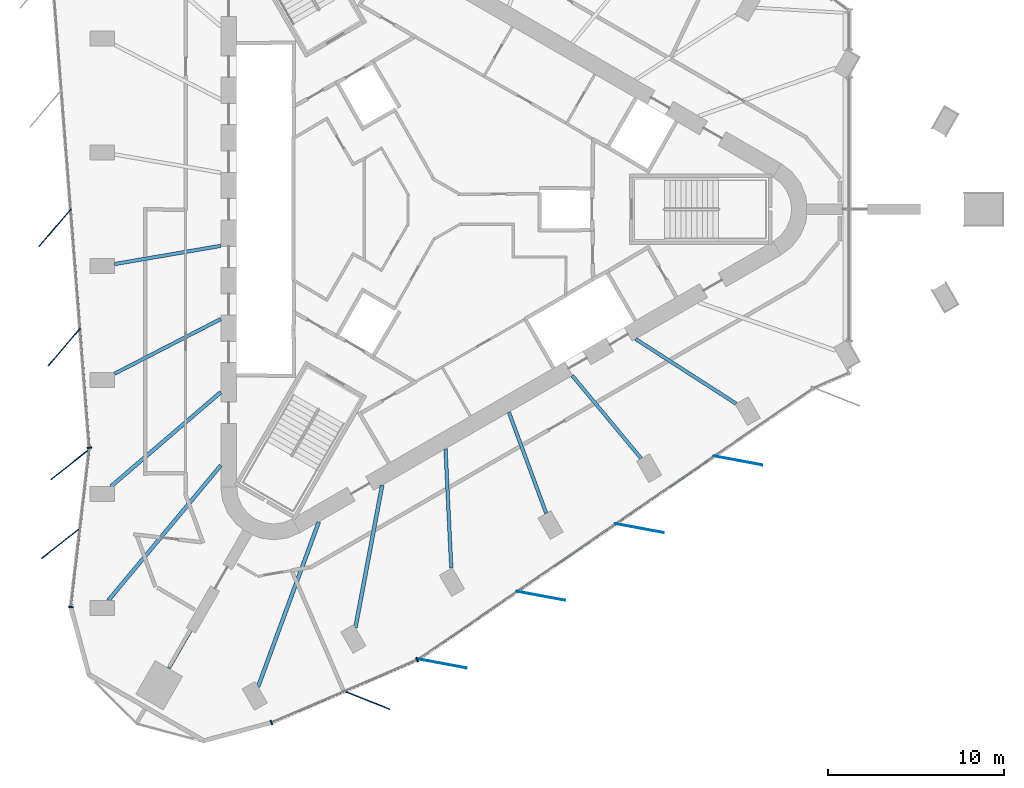
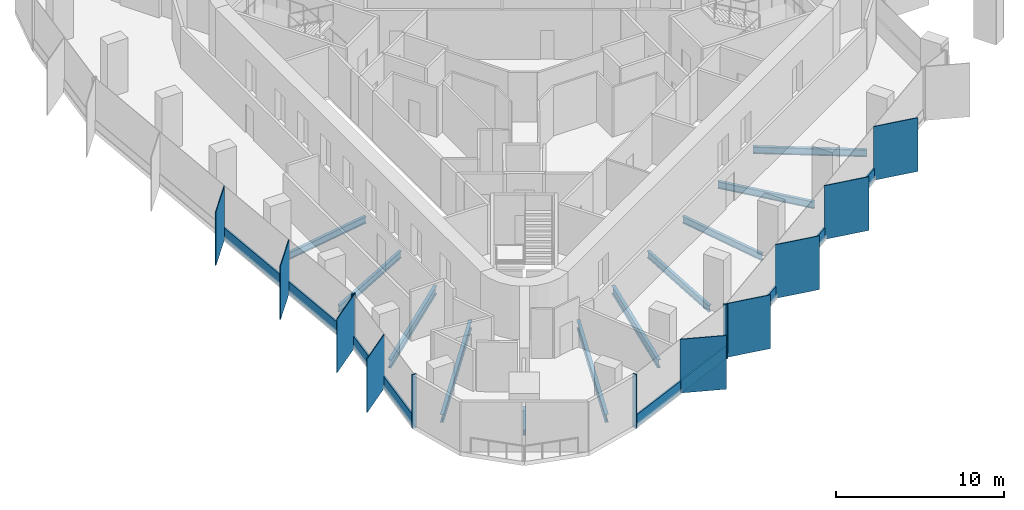
# One storey, part 2 of 12: 22 members, 11 beams, 4 elements without a shape of their own.
"""IFC4 building model written with IfcOpenShell, lengths in metres."""

from ifc_helpers import new_model, si_unit, direction, frame, origin, origin_2d, place, context, subcontext, project, spatial, rectangle, i_section, extrude, material, material_profile, profile_set, type_object, element, aggregate, save


model = new_model("IFC4")

# Units and contexts
model_context = context("Model", 3, precision=1e-05, world=origin(), true_north=direction((0.0, 1.0)))
body_context = subcontext(model_context, "Body", "Model", "MODEL_VIEW")
ifc_project = project(units=[si_unit("LENGTHUNIT", "METRE"), si_unit("AREAUNIT", "SQUARE_METRE"), si_unit("VOLUMEUNIT", "CUBIC_METRE"), si_unit("PLANEANGLEUNIT", "RADIAN"), si_unit("MASSUNIT", "GRAM", prefix="KILO")], contexts=[model_context])

# Site, building, storey
site_placement = place(None, origin())
site = spatial("IfcSite", under=ifc_project, at=site_placement, CompositionType="ELEMENT")
building_placement = place(site_placement, origin())
building = spatial("IfcBuilding", under=site, at=building_placement, Name="Tanit Gate Tower", CompositionType="ELEMENT")
storey_placement = place(building_placement, frame((0.0, 0.0, 384.5)))
storey = spatial("IfcBuildingStorey", under=building, at=storey_placement, Name="L88", CompositionType="ELEMENT", Elevation=384.5)

# Curtain wall, members
ifc_material_1 = material(Name="Aluminium bronze anodised and glass", Category="aluminium")
curtain_wall_type = type_object("IfcCurtainWallType", Name="Curtain wall typical high", PredefinedType="NOTDEFINED", material=ifc_material_1)
curtain_wall_1_placement = place(storey_placement, origin())
curtain_wall_1 = element("IfcCurtainWall", 1, at=curtain_wall_1_placement, inside=storey, type_object=curtain_wall_type, Name="Curtain wall L88 W2", PredefinedType="NOTDEFINED")
ifc_material_2 = material(Name="Aluminium bronze anodised", Category="aluminium")
ifc_material_profile_1 = material_profile(ifc_material_2, rectangle(XDim=2.800048828125, YDim=0.055908203125, at=origin_2d()), Name="56x2800 bronze fin mullion")
ifc_profile_set_1 = profile_set([ifc_material_profile_1], Name="Aluminium bronze anodised")
member_type_1 = type_object("IfcMemberType", Name="FIN MULLION 56x2800 bronze", PredefinedType="MULLION", material=ifc_profile_set_1)
member_1_placement = place(storey_placement, frame((-21.510498046875, -1.05126953125, -0.300048828125), z_axis=(0.0, 0.0, 1.0), x_axis=(0.649921223903, 0.760001580735, 0.0)))
member_1 = element("IfcMember", 2, at=member_1_placement, type_object=member_type_1, Name="Fin mullion L88 W2.3", PredefinedType="MULLION", context=body_context, shape_type="SweptSolid", body=[
    extrude(rectangle(XDim=2.800048828125, YDim=0.055908203125, at=origin_2d()), origin(), (0.0, 0.0, 1.0), 3.900146484375),
])
member_2_placement = place(storey_placement, frame((-20.982177734375, -7.818359375, -0.300048828125), z_axis=(0.0, 0.0, 1.0), x_axis=(0.649921223903, 0.760001580735, 0.0)))
member_2 = element("IfcMember", 3, at=member_2_placement, type_object=member_type_1, Name="Fin mullion L88 W2.4", PredefinedType="MULLION", context=body_context, shape_type="SweptSolid", body=[
    extrude(rectangle(XDim=2.800048828125, YDim=0.055908203125, at=origin_2d()), origin(), (0.0, 0.0, 1.0), 3.900146484375),
])

curtain_wall_2_placement = place(storey_placement, origin())
curtain_wall_2 = element("IfcCurtainWall", 4, at=curtain_wall_2_placement, inside=storey, type_object=curtain_wall_type, Name="Curtain wall L88 W3", PredefinedType="NOTDEFINED")
member_3_placement = place(storey_placement, frame((-20.64111328125, -14.47216796875, -0.300048828125), z_axis=(0.0, 0.0, 1.0), x_axis=(0.784556334353, 0.620057544286, 0.0)))
member_3 = element("IfcMember", 5, at=member_3_placement, type_object=member_type_1, Name="Fin mullion L88 W3.1", PredefinedType="MULLION", context=body_context, shape_type="SweptSolid", body=[
    extrude(rectangle(XDim=2.800048828125, YDim=0.055908203125, at=origin_2d()), origin(), (0.0, 0.0, 1.0), 3.900146484375),
])
member_4_placement = place(storey_placement, frame((-21.165771484375, -18.951416015625, -0.300048828125), z_axis=(0.0, 0.0, 1.0), x_axis=(0.784556334353, 0.620057544286, 0.0)))
member_4 = element("IfcMember", 6, at=member_4_placement, type_object=member_type_1, Name="Fin mullion L88 W3.2", PredefinedType="MULLION", context=body_context, shape_type="SweptSolid", body=[
    extrude(rectangle(XDim=2.800048828125, YDim=0.055908203125, at=origin_2d()), origin(), (0.0, 0.0, 1.0), 3.900146484375),
])

# Curtain wall, member
curtain_wall_3_placement = place(storey_placement, origin())
curtain_wall_3 = element("IfcCurtainWall", 7, at=curtain_wall_3_placement, inside=storey, type_object=curtain_wall_type, Name="Curtain wall L88 SE1", PredefinedType="NOTDEFINED")
member_5_placement = place(storey_placement, frame((-3.80859375, -27.86474609375, -0.300048828125), z_axis=(0.0, 0.0, 1.0), x_axis=(-0.929263752337, 0.369416944107, 0.0)))
member_5 = element("IfcMember", 8, at=member_5_placement, type_object=member_type_1, Name="Fin mullion L88 SE1.2", PredefinedType="MULLION", context=body_context, shape_type="SweptSolid", body=[
    extrude(rectangle(XDim=2.800048828125, YDim=0.055908203125, at=origin_2d()), origin(), (0.0, 0.0, 1.0), 3.900146484375),
])

# Curtain wall, members
curtain_wall_4_placement = place(storey_placement, origin())
curtain_wall_4 = element("IfcCurtainWall", 9, at=curtain_wall_4_placement, inside=storey, type_object=curtain_wall_type, Name="Curtain wall L88 SE2", PredefinedType="NOTDEFINED")
member_6_placement = place(storey_placement, frame((0.472900390625, -25.78515625, -0.300048828125), z_axis=(0.0, 0.0, 1.0), x_axis=(-0.983141287785, 0.182847499991, 0.0)))
member_6 = element("IfcMember", 10, at=member_6_placement, type_object=member_type_1, Name="Fin mullion L88 SE2.1", PredefinedType="MULLION", context=body_context, shape_type="SweptSolid", body=[
    extrude(rectangle(XDim=2.800048828125, YDim=0.055908203125, at=origin_2d()), origin(), (0.0, 0.0, 1.0), 3.900146484375),
])
member_7_placement = place(storey_placement, frame((6.0693359375, -21.944091796875, -0.300048828125), z_axis=(0.0, 0.0, 1.0), x_axis=(-0.983141287785, 0.182847499991, 0.0)))
member_7 = element("IfcMember", 11, at=member_7_placement, type_object=member_type_1, Name="Fin mullion L88 SE2.2", PredefinedType="MULLION", context=body_context, shape_type="SweptSolid", body=[
    extrude(rectangle(XDim=2.800048828125, YDim=0.055908203125, at=origin_2d()), origin(), (0.0, 0.0, 1.0), 3.900146484375),
])
member_8_placement = place(storey_placement, frame((11.665771484375, -18.10302734375, -0.300048828125), z_axis=(0.0, 0.0, 1.0), x_axis=(-0.983141287785, 0.182847499991, 0.0)))
member_8 = element("IfcMember", 12, at=member_8_placement, type_object=member_type_1, Name="Fin mullion L88 SE2.3", PredefinedType="MULLION", context=body_context, shape_type="SweptSolid", body=[
    extrude(rectangle(XDim=2.800048828125, YDim=0.055908203125, at=origin_2d()), origin(), (0.0, 0.0, 1.0), 3.900146484375),
])
member_9_placement = place(storey_placement, frame((17.261962890625, -14.26171875, -0.300048828125), z_axis=(0.0, 0.0, 1.0), x_axis=(-0.983141287785, 0.182847499991, 0.0)))
member_9 = element("IfcMember", 13, at=member_9_placement, type_object=member_type_1, Name="Fin mullion L88 SE2.4", PredefinedType="MULLION", context=body_context, shape_type="SweptSolid", body=[
    extrude(rectangle(XDim=2.800048828125, YDim=0.055908203125, at=origin_2d()), origin(), (0.0, 0.0, 1.0), 3.900146484375),
])

# Member
ifc_material_3 = material(Name="Aluminium bronze anodised", Category="aluminium")
ifc_material_profile_2 = material_profile(ifc_material_3, rectangle(XDim=0.280029296875, YDim=0.080078125, at=origin_2d()), Name="80x280 bronze mullion")
ifc_profile_set_2 = profile_set([ifc_material_profile_2], Name="Aluminium bronze anodised")
member_type_2 = type_object("IfcMemberType", Name="Mullion 80x280 typical high", PredefinedType="MULLION", material=ifc_profile_set_2)
member_10_placement = place(storey_placement, frame((-19.556640625, -13.53662109375, -0.300048828125), z_axis=(0.0, 0.0, 1.0), x_axis=(0.996965976109, 0.077838566791, 0.0)))
member_10 = element("IfcMember", 14, at=member_10_placement, type_object=member_type_2, Name="Mullion L88 W2.5", PredefinedType="MULLION", context=body_context, shape_type="SweptSolid", body=[
    extrude(rectangle(XDim=0.280029296875, YDim=0.080078125, at=origin_2d()), origin(), (0.0, 0.0, 1.0), 3.900146484375),
])

member_11_placement = place(storey_placement, frame((-20.607421875, -22.574951171875, -0.300048828125), z_axis=(0.0, 0.0, 1.0), x_axis=(0.993211998535, -0.116318209953, 0.0)))
member_11 = element("IfcMember", 15, at=member_11_placement, type_object=member_type_2, Name="Mullion L88 W3.3", PredefinedType="MULLION", context=body_context, shape_type="SweptSolid", body=[
    extrude(rectangle(XDim=0.280029296875, YDim=0.080078125, at=origin_2d()), origin(), (0.0, 0.0, 1.0), 3.900146484375),
])

member_12_placement = place(storey_placement, frame((-9.228515625, -29.138427734375, -0.300048828125), z_axis=(0.0, 0.0, 1.0), x_axis=(-0.395871474525, 0.918305927051, 0.0)))
member_12 = element("IfcMember", 16, at=member_12_placement, type_object=member_type_2, Name="Mullion L88 SE1.1", PredefinedType="MULLION", context=body_context, shape_type="SweptSolid", body=[
    extrude(rectangle(XDim=0.280029296875, YDim=0.080078125, at=origin_2d()), origin(), (0.0, 0.0, 1.0), 3.900146484375),
])

member_13_placement = place(storey_placement, frame((-0.95361328125, -25.5712890625, -0.300048828125), z_axis=(0.0, 0.0, 1.0), x_axis=(-0.395871474525, 0.918305927051, 0.0)))
member_13 = element("IfcMember", 17, at=member_13_placement, type_object=member_type_2, Name="Mullion L88 SE1.3", PredefinedType="MULLION", context=body_context, shape_type="SweptSolid", body=[
    extrude(rectangle(XDim=0.280029296875, YDim=0.080078125, at=origin_2d()), origin(), (0.0, 0.0, 1.0), 3.900146484375),
])

# Beams
ifc_material_4 = material(Name="Steel S355", Category="steel")
ifc_material_profile_3 = material_profile(ifc_material_4, i_section(OverallWidth=0.179931640625, OverallDepth=0.39990234375, WebThickness=0.008544921875, FlangeThickness=0.013427734375, FilletRadius=0.02099609375, at=origin_2d()), Name="IPE 400")
ifc_profile_set_3 = profile_set([ifc_material_profile_3], Name="Steel S355")
beam_type_1 = type_object("IfcBeamType", Name="RADIAL GIRDER IPE 400 S355", PredefinedType="BEAM", material=ifc_profile_set_3)
beam_1_placement = place(storey_placement, frame((-15.0478515625, -26.063720703125, -0.5), z_axis=(0.499965672037, 0.866045222136, 0.0), x_axis=(-0.866045222136, 0.499965672037, 0.0)))
element("IfcBeam", 18, at=beam_1_placement, inside=storey, type_object=beam_type_1, Name="RADIAL GIRDER", PredefinedType="BEAM", context=body_context, shape_type="SweptSolid", body=[
    extrude(i_section(OverallWidth=0.179931640625, OverallDepth=0.39990234375, WebThickness=0.008544921875, FlangeThickness=0.013427734375, FilletRadius=0.02099609375, at=origin_2d()), origin(), (0.0, 0.0, 1.0), 2.490966796875),
])
ifc_material_5 = material(Name="Steel S355", Category="steel")
ifc_material_profile_4 = material_profile(ifc_material_5, i_section(OverallWidth=0.199951171875, OverallDepth=0.5, WebThickness=0.01025390625, FlangeThickness=0.01611328125, FilletRadius=0.02099609375, at=origin_2d()), Name="IPE 500")
ifc_profile_set_4 = profile_set([ifc_material_profile_4], Name="Steel S355")
beam_type_2 = type_object("IfcBeamType", Name="RADIAL GIRDER IPE 500 S355", PredefinedType="BEAM", material=ifc_profile_set_4)
beam_2_placement = place(storey_placement, frame((-18.134033203125, -3.11181640625, -0.550048828125), z_axis=(0.985592249699, 0.169138751719, 0.0), x_axis=(-0.169138751719, 0.985592249699, 0.0)))
element("IfcBeam", 19, at=beam_2_placement, inside=storey, type_object=beam_type_2, Name="RADIAL GIRDER", PredefinedType="BEAM", context=body_context, shape_type="SweptSolid", body=[
    extrude(i_section(OverallWidth=0.199951171875, OverallDepth=0.5, WebThickness=0.01025390625, FlangeThickness=0.01611328125, FilletRadius=0.02099609375, at=origin_2d()), origin(), (0.0, 0.0, 1.0), 6.1201171875),
])
for number, where, z_axis, x_axis, name in (
    (20, (-18.134033203125, -9.33544921875, -0.550048828125), (0.889089509104, 0.457733377416, 0.0), (-0.457733377416, 0.889089509104, 0.0), "RADIAL GIRDER"),
    (21, (0.982177734375, -20.372314453125, -0.550048828125), (-0.048148149824, 0.998840205272, 0.0), (-0.998840205272, -0.048148149824, 0.0), "RADIAL GIRDER"),
):
    element("IfcBeam", number, at=place(storey_placement, frame(where, z_axis=z_axis, x_axis=x_axis)), inside=storey, type_object=beam_type_2, Name=name, PredefinedType="BEAM", context=body_context, shape_type="SweptSolid", body=[
        extrude(i_section(OverallWidth=0.199951171875, OverallDepth=0.5, WebThickness=0.01025390625, FlangeThickness=0.01611328125, FilletRadius=0.02099609375, at=origin_2d()), origin(), (0.0, 0.0, 1.0), 6.784423828125),
    ])
beam_3_placement = place(storey_placement, frame((6.3720703125, -17.260498046875, -0.550048828125), z_axis=(-0.346331956525, 0.938112027366, 0.0), x_axis=(-0.938112027366, -0.346331956525, 0.0)))
element("IfcBeam", 22, at=beam_3_placement, inside=storey, type_object=beam_type_2, Name="RADIAL GIRDER", PredefinedType="BEAM", context=body_context, shape_type="SweptSolid", body=[
    extrude(i_section(OverallWidth=0.199951171875, OverallDepth=0.5, WebThickness=0.01025390625, FlangeThickness=0.01611328125, FilletRadius=0.02099609375, at=origin_2d()), origin(), (0.0, 0.0, 1.0), 6.1201171875),
])
beam_4_placement = place(storey_placement, frame((11.761962890625, -14.1484375, -0.550048828125), z_axis=(-0.639281465972, 0.76897282609, 0.0), x_axis=(-0.76897282609, -0.639281465972, 0.0)))
element("IfcBeam", 23, at=beam_4_placement, inside=storey, type_object=beam_type_2, Name="RADIAL GIRDER", PredefinedType="BEAM", context=body_context, shape_type="SweptSolid", body=[
    extrude(i_section(OverallWidth=0.199951171875, OverallDepth=0.5, WebThickness=0.01025390625, FlangeThickness=0.01611328125, FilletRadius=0.02099609375, at=origin_2d()), origin(), (0.0, 0.0, 1.0), 6.119873046875),
])
beam_5_placement = place(storey_placement, frame((17.151611328125, -11.036865234375, -0.550048828125), z_axis=(-0.840921151668, 0.541157663419, 0.0), x_axis=(-0.541157663419, -0.840921151668, 0.0)))
element("IfcBeam", 24, at=beam_5_placement, inside=storey, type_object=beam_type_2, Name="RADIAL GIRDER", PredefinedType="BEAM", context=body_context, shape_type="SweptSolid", body=[
    extrude(i_section(OverallWidth=0.199951171875, OverallDepth=0.5, WebThickness=0.01025390625, FlangeThickness=0.01611328125, FilletRadius=0.02099609375, at=origin_2d()), origin(), (0.0, 0.0, 1.0), 6.784423828125),
])
ifc_material_6 = material(Name="Steel S355", Category="steel")
ifc_material_profile_5 = material_profile(ifc_material_6, i_section(OverallWidth=0.219970703125, OverallDepth=0.60009765625, WebThickness=0.011962890625, FlangeThickness=0.01904296875, FilletRadius=0.02392578125, at=origin_2d()), Name="IPE 600")
ifc_profile_set_5 = profile_set([ifc_material_profile_5], Name="Steel S355")
beam_type_3 = type_object("IfcBeamType", Name="RADIAL GIRDER IPE 600 S355", PredefinedType="BEAM", material=ifc_profile_set_5)
beam_6_placement = place(storey_placement, frame((-18.338623046875, -15.734619140625, -0.60009765625), z_axis=(0.758929352331, 0.651172971008, 0.0), x_axis=(-0.651172971008, 0.758929352331, 0.0)))
element("IfcBeam", 25, at=beam_6_placement, inside=storey, type_object=beam_type_3, Name="RADIAL GIRDER", PredefinedType="BEAM", context=body_context, shape_type="SweptSolid", body=[
    extrude(i_section(OverallWidth=0.219970703125, OverallDepth=0.60009765625, WebThickness=0.011962890625, FlangeThickness=0.01904296875, FilletRadius=0.02392578125, at=origin_2d()), origin(), (0.0, 0.0, 1.0), 8.217529296875),
])
for number, where, z_axis, x_axis, name in (
    (26, (-18.480224609375, -22.198486328125, -0.60009765625), (0.639810946261, 0.768532337019, 0.0), (-0.768532337019, 0.639810946261, 0.0), "RADIAL GIRDER"),
    (27, (-9.984619140625, -27.103515625, -0.60009765625), (0.345682660263, 0.938351479134, 0.0), (-0.938351479134, 0.345682660263, 0.0), "RADIAL GIRDER"),
):
    element("IfcBeam", number, at=place(storey_placement, frame(where, z_axis=z_axis, x_axis=x_axis)), inside=storey, type_object=beam_type_3, Name=name, PredefinedType="BEAM", context=body_context, shape_type="SweptSolid", body=[
        extrude(i_section(OverallWidth=0.219970703125, OverallDepth=0.60009765625, WebThickness=0.011962890625, FlangeThickness=0.01904296875, FilletRadius=0.02392578125, at=origin_2d()), origin(), (0.0, 0.0, 1.0), 9.96875),
    ])
beam_7_placement = place(storey_placement, frame((-4.45751953125, -23.7490234375, -0.60009765625), z_axis=(0.184498405984, 0.982832812939, 0.0), x_axis=(-0.982832812939, 0.184498405984, 0.0)))
element("IfcBeam", 28, at=beam_7_placement, inside=storey, type_object=beam_type_3, Name="RADIAL GIRDER", PredefinedType="BEAM", context=body_context, shape_type="SweptSolid", body=[
    extrude(i_section(OverallWidth=0.219970703125, OverallDepth=0.60009765625, WebThickness=0.011962890625, FlangeThickness=0.01904296875, FilletRadius=0.02392578125, at=origin_2d()), origin(), (0.0, 0.0, 1.0), 8.217529296875),
])

# Member
ifc_material_7 = material(Name="Aluminium bronze anodised", Category="aluminium")
ifc_material_profile_6 = material_profile(ifc_material_7, rectangle(XDim=0.1201171875, YDim=0.89990234375, at=origin_2d()), Name="120x900 bronze transom")
ifc_profile_set_6 = profile_set([ifc_material_profile_6], Name="Aluminium bronze anodised")
member_type_3 = type_object("IfcMemberType", Name="Transom 120x900 typical high", PredefinedType="USERDEFINED", material=ifc_profile_set_6)
member_14_placement = place(storey_placement, frame((-20.6103515625, -0.042236328125, 0.14990234375), z_axis=(0.077854316831, -0.996964746293, 0.0), x_axis=(0.996964746293, 0.077854316831, 0.0)))
member_14 = element("IfcMember", 29, at=member_14_placement, type_object=member_type_3, Name="Transom L88 W2.3", ObjectType="TRANSOM", PredefinedType="USERDEFINED", context=body_context, shape_type="SweptSolid", body=[
    extrude(rectangle(XDim=0.1201171875, YDim=0.89990234375, at=origin_2d()), origin(), (0.0, 0.0, 1.0), 6.70751953125),
])

member_15_placement = place(storey_placement, frame((-20.08203125, -6.809326171875, 0.14990234375), z_axis=(0.077851491829, -0.996964966897, 0.0), x_axis=(0.996964966897, 0.077851491829, 0.0)))
member_15 = element("IfcMember", 30, at=member_15_placement, type_object=member_type_3, Name="Transom L88 W2.4", ObjectType="TRANSOM", PredefinedType="USERDEFINED", context=body_context, shape_type="SweptSolid", body=[
    extrude(rectangle(XDim=0.1201171875, YDim=0.89990234375, at=origin_2d()), origin(), (0.0, 0.0, 1.0), 6.707763671875),
])

aggregate(curtain_wall_1, [member_1, member_2, member_10, member_14, member_15])

member_16_placement = place(storey_placement, frame((-19.56298828125, -13.656005859375, 0.14990234375), z_axis=(-0.116284849592, -0.993215904905, 0.0), x_axis=(0.993215904905, -0.116284849592, 0.0)))
member_16 = element("IfcMember", 31, at=member_16_placement, type_object=member_type_3, Name="Transom L88 W3.1", ObjectType="TRANSOM", PredefinedType="USERDEFINED", context=body_context, shape_type="SweptSolid", body=[
    extrude(rectangle(XDim=0.1201171875, YDim=0.89990234375, at=origin_2d()), origin(), (0.0, 0.0, 1.0), 4.429931640625),
])

member_17_placement = place(storey_placement, frame((-20.08740234375, -18.13525390625, 0.14990234375), z_axis=(-0.116332847467, -0.99321028418, 0.0), x_axis=(0.99321028418, -0.116332847467, 0.0)))
member_17 = element("IfcMember", 32, at=member_17_placement, type_object=member_type_3, Name="Transom L88 W3.2", ObjectType="TRANSOM", PredefinedType="USERDEFINED", context=body_context, shape_type="SweptSolid", body=[
    extrude(rectangle(XDim=0.1201171875, YDim=0.89990234375, at=origin_2d()), origin(), (0.0, 0.0, 1.0), 4.43017578125),
])

aggregate(curtain_wall_2, [member_3, member_4, member_11, member_16, member_17])

member_18_placement = place(storey_placement, frame((-9.191650390625, -29.12255859375, 0.14990234375), z_axis=(0.918315441962, 0.395849401987, 0.0), x_axis=(-0.395849401987, 0.918315441962, 0.0)))
member_18 = element("IfcMember", 33, at=member_18_placement, type_object=member_type_3, Name="Transom L88 SE1.1", ObjectType="TRANSOM", PredefinedType="USERDEFINED", context=body_context, shape_type="SweptSolid", body=[
    extrude(rectangle(XDim=0.1201171875, YDim=0.89990234375, at=origin_2d()), origin(), (0.0, 0.0, 1.0), 4.42529296875),
])

member_19_placement = place(storey_placement, frame((-5.054443359375, -27.339111328125, 0.14990234375), z_axis=(0.918304032132, 0.395875870154, 0.0), x_axis=(-0.395875870154, 0.918304032132, 0.0)))
member_19 = element("IfcMember", 34, at=member_19_placement, type_object=member_type_3, Name="Transom L88 SE1.2", ObjectType="TRANSOM", PredefinedType="USERDEFINED", context=body_context, shape_type="SweptSolid", body=[
    extrude(rectangle(XDim=0.1201171875, YDim=0.89990234375, at=origin_2d()), origin(), (0.0, 0.0, 1.0), 4.425537109375),
])

aggregate(curtain_wall_3, [member_12, member_5, member_13, member_18, member_19])

member_20_placement = place(storey_placement, frame((-0.85107421875, -25.51025390625, 0.14990234375), z_axis=(0.824482387079, 0.565887615517, 0.0), x_axis=(-0.565887615517, 0.824482387079, 0.0)))
member_20 = element("IfcMember", 35, at=member_20_placement, type_object=member_type_3, Name="Transom L88 SE2.1", ObjectType="TRANSOM", PredefinedType="USERDEFINED", context=body_context, shape_type="SweptSolid", body=[
    extrude(rectangle(XDim=0.1201171875, YDim=0.89990234375, at=origin_2d()), origin(), (0.0, 0.0, 1.0), 6.707763671875),
])

member_21_placement = place(storey_placement, frame((4.745361328125, -21.669189453125, 0.14990234375), z_axis=(0.824482387079, 0.565887615517, 0.0), x_axis=(-0.565887615517, 0.824482387079, 0.0)))
member_21 = element("IfcMember", 36, at=member_21_placement, type_object=member_type_3, Name="Transom L88 SE2.2", ObjectType="TRANSOM", PredefinedType="USERDEFINED", context=body_context, shape_type="SweptSolid", body=[
    extrude(rectangle(XDim=0.1201171875, YDim=0.89990234375, at=origin_2d()), origin(), (0.0, 0.0, 1.0), 6.707763671875),
])

member_22_placement = place(storey_placement, frame((10.341796875, -17.827880859375, 0.14990234375), z_axis=(0.824487713367, 0.565879855188, 0.0), x_axis=(-0.565879855188, 0.824487713367, 0.0)))
member_22 = element("IfcMember", 37, at=member_22_placement, type_object=member_type_3, Name="Transom L88 SE2.3", ObjectType="TRANSOM", PredefinedType="USERDEFINED", context=body_context, shape_type="SweptSolid", body=[
    extrude(rectangle(XDim=0.1201171875, YDim=0.89990234375, at=origin_2d()), origin(), (0.0, 0.0, 1.0), 6.70751953125),
])

aggregate(curtain_wall_4, [member_6, member_7, member_8, member_9, member_20, member_21, member_22])

save(model, "model.ifc")
